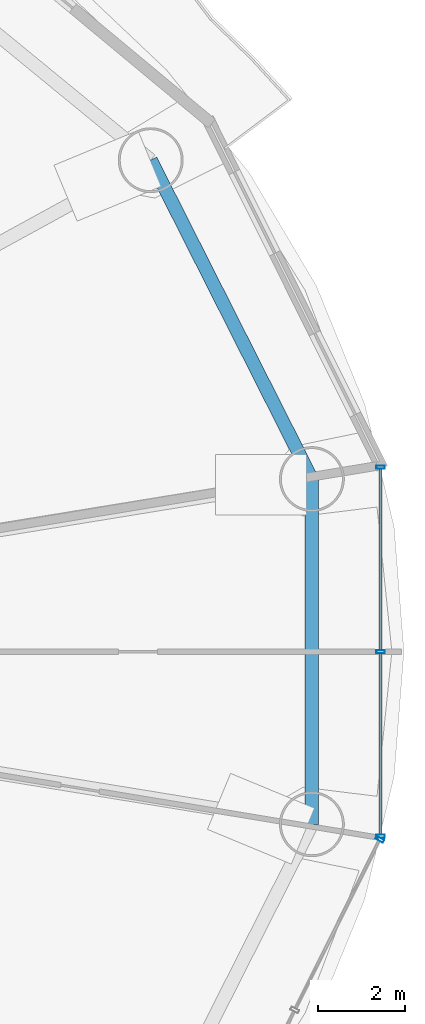
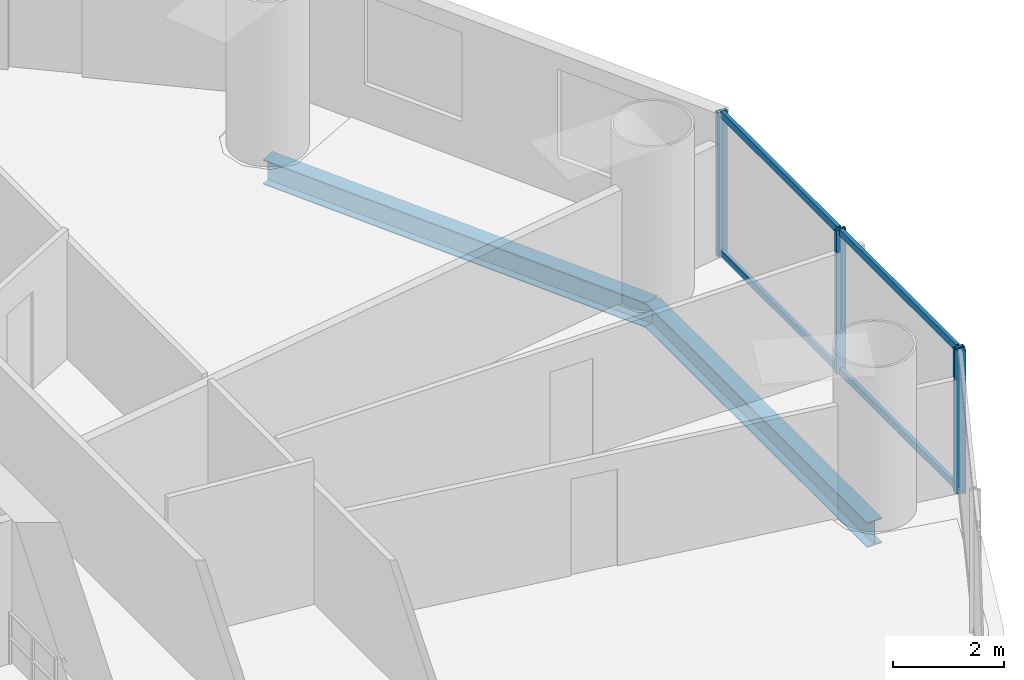
# One storey, part 15 of 29: 8 members, 2 beams, 2 elements without a shape of their own.
"""IFC4 building model written with IfcOpenShell, lengths in metres."""

from ifc_helpers import new_model, si_unit, direction, frame, origin, origin_2d, place, context, subcontext, project, spatial, hollow_rectangle, i_section, extrude, source, transform, mapped, material, material_profile, profile_set, type_object, element, aggregate, save


model = new_model("IFC4")

# Units and contexts
model_context = context("Model", 3, precision=1e-05, world=origin(), true_north=direction((-0.2419218956, 0.970295726276)))
body_context = subcontext(model_context, "Body", "Model", "MODEL_VIEW")
ifc_project = project(units=[si_unit("LENGTHUNIT", "METRE"), si_unit("AREAUNIT", "SQUARE_METRE"), si_unit("VOLUMEUNIT", "CUBIC_METRE"), si_unit("PLANEANGLEUNIT", "RADIAN"), si_unit("MASSUNIT", "GRAM", prefix="KILO")], contexts=[model_context])

# Site, building, storey
site_placement = place(None, origin())
site = spatial("IfcSite", under=ifc_project, at=site_placement, CompositionType="ELEMENT")
building_placement = place(site_placement, origin())
building = spatial("IfcBuilding", under=site, at=building_placement, Name="Cobrevalo Terracotta Tower", CompositionType="ELEMENT")
storey_placement = place(building_placement, frame((0.0, 0.0, 126.60009765625)))
storey = spatial("IfcBuildingStorey", under=building, at=storey_placement, Name="L33", CompositionType="ELEMENT", Elevation=126.60009765625)

# Beams
ifc_material_1 = material(Name="Steel S355", Category="steel")
ifc_material_profile_1 = material_profile(ifc_material_1, i_section(OverallWidth=0.31201171875, OverallDepth=0.54296875, WebThickness=0.0126953125, FlangeThickness=0.020263671875, at=origin_2d()), Name="W 530x150")
ifc_profile_set_1 = profile_set([ifc_material_profile_1], Name="Steel S355")
beam_type = type_object("IfcBeamType", Name="Structural Spandrel W 530x150 (Steel S355)", PredefinedType="SPANDREL", material=ifc_profile_set_1)
beam_1_placement = place(storey_placement, frame((62.470703125, 30.78955078125, -0.546630859375), z_axis=(-0.451051982172, 0.892497680321, 0.0), x_axis=(-0.892497680321, -0.451051982172, 0.0)))
element("IfcBeam", 1, at=beam_1_placement, inside=storey, type_object=beam_type, Name="L33 perimeter ring spandrel 01", PredefinedType="SPANDREL", context=body_context, shape_type="SweptSolid", body=[
    extrude(i_section(OverallWidth=0.31201171875, OverallDepth=0.54296875, WebThickness=0.0126953125, FlangeThickness=0.020263671875, at=origin_2d()), origin(), (0.0, 0.0, 1.0), 8.259765625),
])
beam_2_placement = place(storey_placement, frame((62.470703125, 22.810302734375, -0.546630859375), z_axis=(0.0, 1.0, 0.0), x_axis=(-1.0, 0.0, 0.0)))
element("IfcBeam", 2, at=beam_2_placement, inside=storey, type_object=beam_type, Name="L33 perimeter ring spandrel 16", PredefinedType="SPANDREL", context=body_context, shape_type="SweptSolid", body=[
    extrude(i_section(OverallWidth=0.31201171875, OverallDepth=0.54296875, WebThickness=0.0126953125, FlangeThickness=0.020263671875, at=origin_2d()), origin(), (0.0, 0.0, 1.0), 7.979248046875),
])

# Curtain wall, member
ifc_material_2 = material(Name="Anodized aluminium", Category="aluminium")
curtain_wall_type = type_object("IfcCurtainWallType", Name="Lower-tower unitised acoustic low-E curtain wall CW-U1", PredefinedType="NOTDEFINED", material=ifc_material_2)
curtain_wall_1_placement = place(storey_placement, origin())
curtain_wall_1 = element("IfcCurtainWall", 3, at=curtain_wall_1_placement, inside=storey, type_object=curtain_wall_type, Name="L33 curtain wall CW-L33-S15", PredefinedType="NOTDEFINED")
ifc_material_profile_2 = material_profile(ifc_material_2, hollow_rectangle(XDim=0.074951171875, YDim=0.199951171875, WallThickness=0.0048828125, at=origin_2d()), Name="CWM 75x200")
ifc_profile_set_2 = profile_set([ifc_material_profile_2], Name="Anodized aluminium")
member_type_1 = type_object("IfcMemberType", Name="Lower/mid tower unitised mullion 75x200", PredefinedType="MULLION", material=ifc_profile_set_2)
shared_shape_1 = source(origin(), body_context, "Body", "SweptSolid", [
    extrude(hollow_rectangle(XDim=0.074951171875, YDim=0.199951171875, WallThickness=0.0048828125, at=origin_2d()), origin(), (0.0, 0.0, 1.0), 3.14990234375),
])
member_1_placement = place(storey_placement, frame((64.04150390625, 22.45849609375, 0.0), z_axis=(0.0, 0.0, 1.0), x_axis=(0.446260290227, 0.894903208937, 0.0)))
member_1 = element("IfcMember", 4, at=member_1_placement, type_object=member_type_1, Name="CW-L33-S15 vertical mullion 03", PredefinedType="MULLION", context=body_context, shape_type="MappedRepresentation", body=[
    mapped(shared_shape_1, transform((0.0, 0.0, 0.0), scale=1.0)),
])
aggregate(curtain_wall_1, [member_1])

# Curtain wall, members
curtain_wall_2_placement = place(storey_placement, origin())
curtain_wall_2 = element("IfcCurtainWall", 5, at=curtain_wall_2_placement, inside=storey, type_object=curtain_wall_type, Name="L33 curtain wall CW-L33-S16", PredefinedType="NOTDEFINED")
member_2_placement = place(storey_placement, frame((64.0595703125, 22.534423828125, 0.0), z_axis=(0.0, 0.0, 1.0), x_axis=(0.0, 1.0, 0.0)))
member_2 = element("IfcMember", 6, at=member_2_placement, type_object=member_type_1, Name="CW-L33-S16 vertical mullion 01", PredefinedType="MULLION", context=body_context, shape_type="MappedRepresentation", body=[
    mapped(shared_shape_1, transform((0.0, 0.0, 0.0), scale=1.0)),
])
member_3_placement = place(storey_placement, frame((64.0595703125, 26.800048828125, 0.0), z_axis=(0.0, 0.0, 1.0), x_axis=(0.0, 1.0, 0.0)))
member_3 = element("IfcMember", 7, at=member_3_placement, type_object=member_type_1, Name="CW-L33-S16 vertical mullion 02", PredefinedType="MULLION", context=body_context, shape_type="MappedRepresentation", body=[
    mapped(shared_shape_1, transform((0.0, 0.0, 0.0), scale=1.0)),
])
member_4_placement = place(storey_placement, frame((64.0595703125, 31.065673828125, 0.0), z_axis=(0.0, 0.0, 1.0), x_axis=(0.0, 1.0, 0.0)))
member_4 = element("IfcMember", 8, at=member_4_placement, type_object=member_type_1, Name="CW-L33-S16 vertical mullion 03", PredefinedType="MULLION", context=body_context, shape_type="MappedRepresentation", body=[
    mapped(shared_shape_1, transform((0.0, 0.0, 0.0), scale=1.0)),
])
ifc_material_profile_3 = material_profile(ifc_material_2, hollow_rectangle(XDim=0.074951171875, YDim=0.14990234375, WallThickness=0.00439453125, at=origin_2d()), Name="CWT 75x150")
ifc_profile_set_3 = profile_set([ifc_material_profile_3], Name="Anodized aluminium")
member_type_2 = type_object("IfcMemberType", Name="Tower unitised aluminium transom 75x150", PredefinedType="USERDEFINED", material=ifc_profile_set_3)
shared_shape_2 = source(origin(), body_context, "Body", "SweptSolid", [
    extrude(hollow_rectangle(XDim=0.074951171875, YDim=0.14990234375, WallThickness=0.00439453125, at=origin_2d()), origin(), (0.0, 0.0, 1.0), 4.185546875),
])
member_5_placement = place(storey_placement, frame((64.0595703125, 22.574462890625, 0.0498046875), z_axis=(0.0, 1.0, 0.0), x_axis=(-1.0, 0.0, 0.0)))
member_5 = element("IfcMember", 9, at=member_5_placement, type_object=member_type_2, Name="CW-L33-S16 transom B01-T1", ObjectType="TRANSOM", PredefinedType="USERDEFINED", context=body_context, shape_type="MappedRepresentation", body=[
    mapped(shared_shape_2, transform((0.0, 0.0, 0.0), scale=1.0)),
])
member_6_placement = place(storey_placement, frame((64.0595703125, 22.574462890625, 3.099853515625), z_axis=(0.0, 1.0, 0.0), x_axis=(-1.0, 0.0, 0.0)))
member_6 = element("IfcMember", 10, at=member_6_placement, type_object=member_type_2, Name="CW-L33-S16 transom B01-T2", ObjectType="TRANSOM", PredefinedType="USERDEFINED", context=body_context, shape_type="MappedRepresentation", body=[
    mapped(shared_shape_2, transform((0.0, 0.0, 0.0), scale=1.0)),
])
member_7_placement = place(storey_placement, frame((64.0595703125, 26.840087890625, 0.0498046875), z_axis=(0.0, 1.0, 0.0), x_axis=(-1.0, 0.0, 0.0)))
member_7 = element("IfcMember", 11, at=member_7_placement, type_object=member_type_2, Name="CW-L33-S16 transom B02-T1", ObjectType="TRANSOM", PredefinedType="USERDEFINED", context=body_context, shape_type="MappedRepresentation", body=[
    mapped(shared_shape_2, transform((0.0, 0.0, 0.0), scale=1.0)),
])
member_8_placement = place(storey_placement, frame((64.0595703125, 26.840087890625, 3.099853515625), z_axis=(0.0, 1.0, 0.0), x_axis=(-1.0, 0.0, 0.0)))
member_8 = element("IfcMember", 12, at=member_8_placement, type_object=member_type_2, Name="CW-L33-S16 transom B02-T2", ObjectType="TRANSOM", PredefinedType="USERDEFINED", context=body_context, shape_type="MappedRepresentation", body=[
    mapped(shared_shape_2, transform((0.0, 0.0, 0.0), scale=1.0)),
])
aggregate(curtain_wall_2, [member_2, member_3, member_4, member_5, member_6, member_7, member_8])

save(model, "model.ifc")
